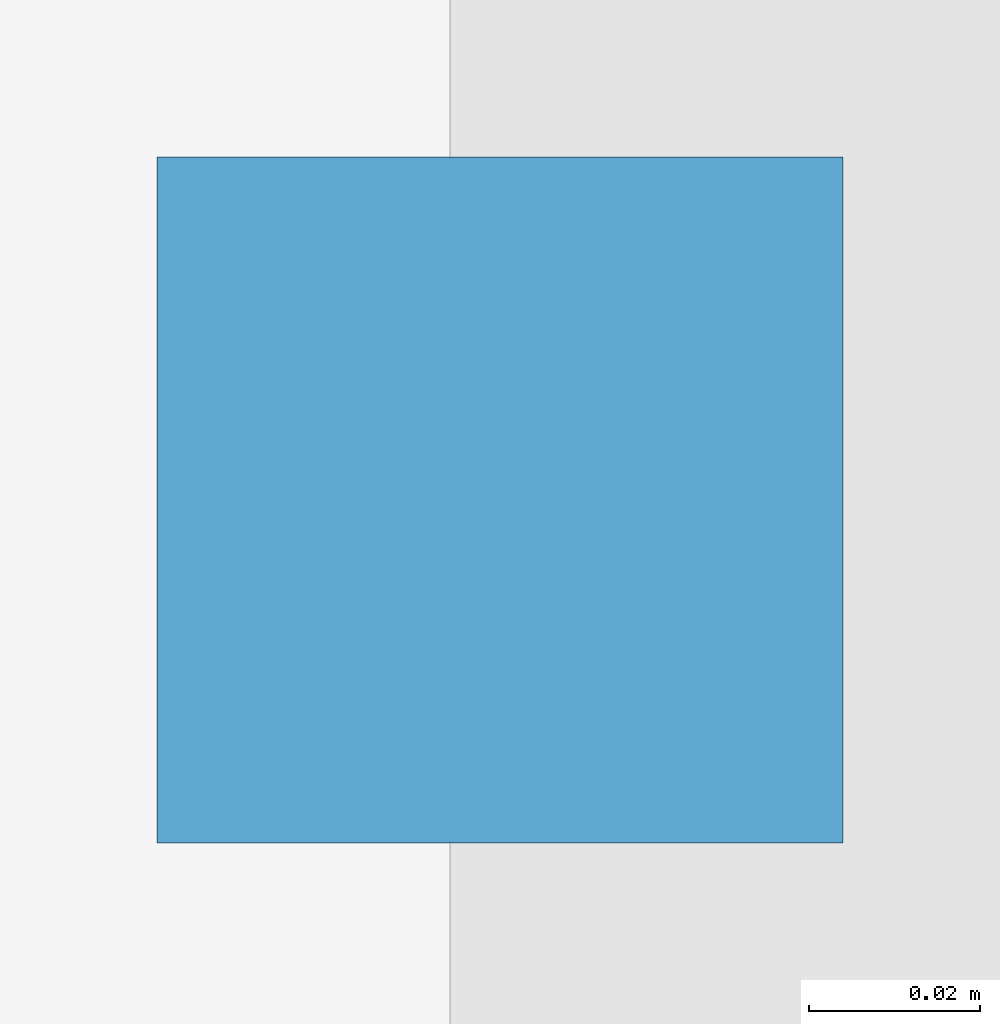
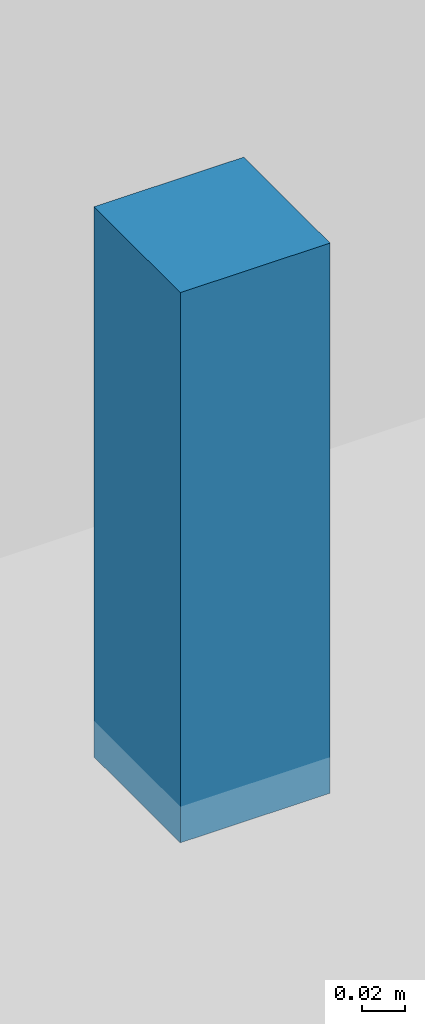
# One storey, part 148 of 157: 1 discrete accessory.
"""IFC4 building model written with IfcOpenShell, lengths in metres."""

from ifc_helpers import new_model, si_unit, direction, frame, origin, origin_2d, place, context, subcontext, project, spatial, rectangle, extrude, material, type_object, element, save


model = new_model("IFC4")

# Units and contexts
model_context = context("Model", 3, precision=1e-05, world=origin(), true_north=direction((0.0, 1.0)))
body_context = subcontext(model_context, "Body", "Model", "MODEL_VIEW")
ifc_project = project(units=[si_unit("LENGTHUNIT", "METRE"), si_unit("AREAUNIT", "SQUARE_METRE"), si_unit("VOLUMEUNIT", "CUBIC_METRE"), si_unit("PLANEANGLEUNIT", "RADIAN"), si_unit("MASSUNIT", "GRAM", prefix="KILO")], contexts=[model_context])

# Site, building, storey
site_placement = place(None, origin())
site = spatial("IfcSite", under=ifc_project, at=site_placement, CompositionType="ELEMENT")
building_placement = place(site_placement, origin())
building = spatial("IfcBuilding", under=site, at=building_placement, Name="Chalmorin Arch Market", CompositionType="ELEMENT")
storey_placement = place(building_placement, frame((0.0, 0.0, 4.800048828125)))
storey = spatial("IfcBuildingStorey", under=building, at=storey_placement, Name="L01", CompositionType="ELEMENT", Elevation=4.800048828125)

# Discrete accessory
ifc_material = material(Name="Galvanized Cold-Formed Steel", Category="steel")
discrete_accessory_type = type_object("IfcDiscreteAccessoryType", Name="CeilingSuspensionBracket-80x80", PredefinedType="BRACKET", material=ifc_material)
discrete_accessory_placement = place(storey_placement, frame((105.449951171875, 81.14990234375, 4.259033203125), z_axis=(0.0, 0.0, 1.0), x_axis=(1.0, 0.0, 0.0)))
element("IfcDiscreteAccessory", 1, at=discrete_accessory_placement, inside=storey, type_object=discrete_accessory_type, Name="CSB-178", PredefinedType="BRACKET", context=body_context, shape_type="SweptSolid", body=[
    extrude(rectangle(XDim=0.080078125, YDim=0.080078125, at=origin_2d()), origin(), (0.0, 0.0, 1.0), 0.31103515625),
])

save(model, "model.ifc")
